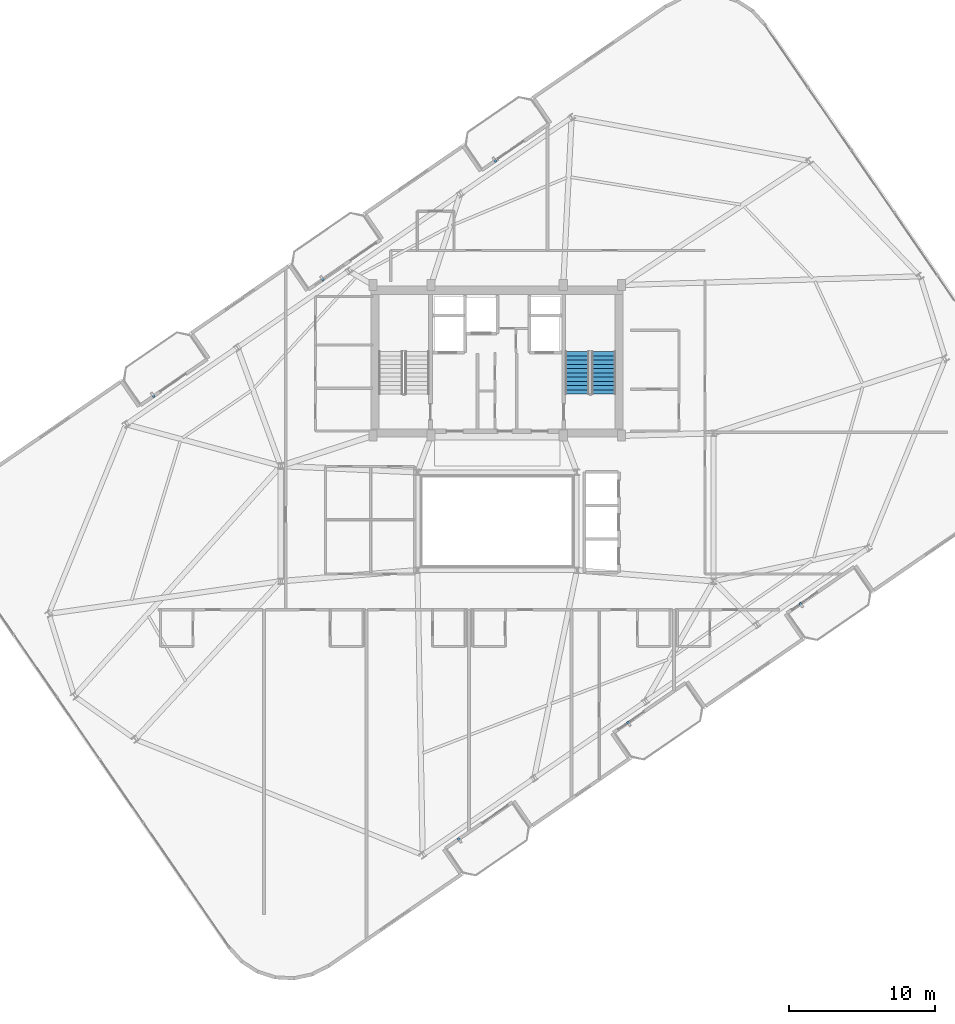
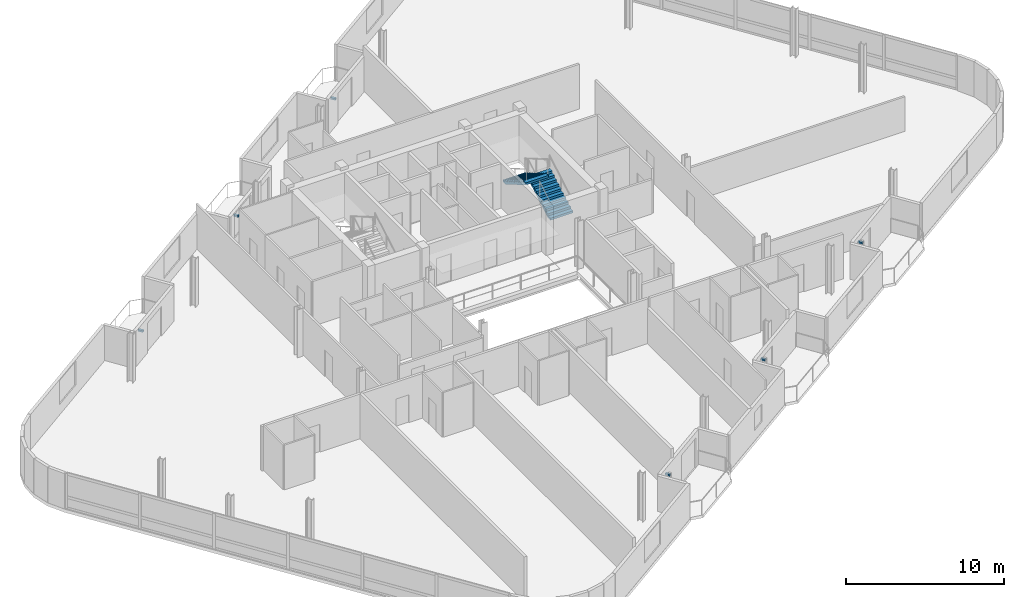
# One storey, part 19 of 22: 6 discrete accessories, 2 stair flights, 1 element without a shape of its own.
"""IFC4 building model written with IfcOpenShell, lengths in metres."""

from ifc_helpers import new_model, si_unit, direction, frame, origin, origin_2d, place, context, subcontext, project, spatial, polyline, rectangle, outline, extrude, source, transform, mapped, material, type_object, element, aggregate, save


model = new_model("IFC4")

# Units and contexts
model_context = context("Model", 3, precision=1e-05, world=origin(), true_north=direction((0.0, 1.0)))
body_context = subcontext(model_context, "Body", "Model", "MODEL_VIEW")
ifc_project = project(units=[si_unit("LENGTHUNIT", "METRE"), si_unit("AREAUNIT", "SQUARE_METRE"), si_unit("VOLUMEUNIT", "CUBIC_METRE"), si_unit("PLANEANGLEUNIT", "RADIAN"), si_unit("MASSUNIT", "GRAM", prefix="KILO")], contexts=[model_context])

# Site, building, storey
site_placement = place(None, origin())
site = spatial("IfcSite", under=ifc_project, at=site_placement, CompositionType="ELEMENT")
building_placement = place(site_placement, origin())
building = spatial("IfcBuilding", under=site, at=building_placement, Name="Varnelok Gate Tower", CompositionType="ELEMENT")
storey_placement = place(building_placement, frame((0.0, 0.0, 284.10009765625)))
storey = spatial("IfcBuildingStorey", under=building, at=storey_placement, Name="L73", CompositionType="ELEMENT", Elevation=284.10009765625)

# Stair, stair flights
ifc_material_1 = material(Name="Concrete C50/60", Category="concrete")
stair_type = type_object("IfcStairType", Name="STR-CORE-1650", PredefinedType="HALF_TURN_STAIR", material=ifc_material_1)
stair_placement = place(storey_placement, origin())
stair = element("IfcStair", 1, at=stair_placement, inside=storey, type_object=stair_type, Name="L73 Exit Stair ST-2", PredefinedType="HALF_TURN_STAIR")
stair_flight_type = type_object("IfcStairFlightType", Name="SFL-CORE-1650", PredefinedType="STRAIGHT", material=ifc_material_1)
stair_flight_1_placement = place(storey_placement, frame((46.47509765625, 31.60009765625, 0.0), z_axis=(0.0, 0.0, 1.0), x_axis=(0.0, 1.0, 0.0)))
stair_flight_1 = element("IfcStairFlight", 2, at=stair_flight_1_placement, type_object=stair_flight_type, Name="ST-2 flight 1", NumberOfRisers=11, NumberOfTreads=10, PredefinedType="STRAIGHT", RiserHeight=0.168181818, TreadLength=0.29, context=body_context, shape_type="SweptSolid", body=[
    extrude(outline(polyline([(0.0, 0.0), (0.0, 0.168212890625), (0.2900390625, 0.168212890625), (0.2900390625, 0.33642578125), (0.580078125, 0.33642578125), (0.580078125, 0.504638671875), (0.8701171875, 0.504638671875), (0.8701171875, 0.672607421875), (1.159912109375, 0.672607421875), (1.159912109375, 0.8408203125), (1.449951171875, 0.8408203125), (1.449951171875, 1.009033203125), (1.739990234375, 1.009033203125), (1.739990234375, 1.17724609375), (2.030029296875, 1.17724609375), (2.030029296875, 1.345458984375), (2.320068359375, 1.345458984375), (2.320068359375, 1.513671875), (2.610107421875, 1.513671875), (2.610107421875, 1.681884765625), (2.89990234375, 1.681884765625), (2.89990234375, 1.85009765625), (2.89990234375, 1.508544921875), (0.298828125, 0.0), (0.0, 0.0)])), frame((0.0, 0.824951171875, 0.0), z_axis=(0.0, -1.0, 0.0), x_axis=(1.0, 0.0, 0.0)), (0.0, 0.0, 1.0), 1.64990234375),
])
stair_flight_2_placement = place(storey_placement, frame((44.675048828125, 34.5, 1.849853515625), z_axis=(0.0, 0.0, 1.0), x_axis=(0.0, -1.0, 0.0)))
stair_flight_2 = element("IfcStairFlight", 3, at=stair_flight_2_placement, type_object=stair_flight_type, Name="ST-2 flight 2", NumberOfRisers=11, NumberOfTreads=10, PredefinedType="STRAIGHT", RiserHeight=0.168181818, TreadLength=0.29, context=body_context, shape_type="SweptSolid", body=[
    extrude(outline(polyline([(0.0, 0.0), (0.0, 0.168212890625), (0.2900390625, 0.168212890625), (0.2900390625, 0.33642578125), (0.580078125, 0.33642578125), (0.580078125, 0.504638671875), (0.8701171875, 0.504638671875), (0.8701171875, 0.672607421875), (1.159912109375, 0.672607421875), (1.159912109375, 0.8408203125), (1.449951171875, 0.8408203125), (1.449951171875, 1.009033203125), (1.739990234375, 1.009033203125), (1.739990234375, 1.17724609375), (2.030029296875, 1.17724609375), (2.030029296875, 1.345458984375), (2.320068359375, 1.345458984375), (2.320068359375, 1.513671875), (2.610107421875, 1.513671875), (2.610107421875, 1.681884765625), (2.89990234375, 1.681884765625), (2.89990234375, 1.85009765625), (2.89990234375, 1.508544921875), (0.298828125, 0.0), (0.0, 0.0)])), frame((0.0, 0.824951171875, 0.0), z_axis=(0.0, -1.0, 0.0), x_axis=(1.0, 0.0, 0.0)), (0.0, 0.0, 1.0), 1.64990234375),
])
aggregate(stair, [stair_flight_1, stair_flight_2])

# Discrete accessories
ifc_material_2 = material(Name="Structural Steel ASTM A500 Grade C", Category="steel")
discrete_accessory_type = type_object("IfcDiscreteAccessoryType", Name="ACC-BAGUETTE-BRK", PredefinedType="BRACKET", material=ifc_material_2)
shared_shape = source(origin(), body_context, "Body", "SweptSolid", [
    extrude(rectangle(XDim=0.159912109375, YDim=0.340087890625, at=origin_2d()), origin(), (0.0, 0.0, 1.0), 0.139892578125),
])
for number, where, z_axis, x_axis, name in (
    (4, (36.62158203125, 1.09619140625, 1.97998046875), (0.0, 0.0, 1.0), (0.823532597628, 0.567268949127, 0.0), "L73 Terracotta Baguette Bracket 1.1"),
    (5, (48.195068359375, 9.068359375, 1.97998046875), (0.0, 0.0, 1.0), (0.823532597628, 0.567268949127, 0.0), "L73 Terracotta Baguette Bracket 2.1"),
    (6, (59.982666015625, 17.187744140625, 1.97998046875), (0.0, 0.0, 1.0), (0.823532597628, 0.567268949127, 0.0), "L73 Terracotta Baguette Bracket 3.1"),
    (7, (15.66650390625, 31.517333984375, 1.97998046875), (0.0, 0.0, 1.0), (0.823532597628, 0.567268949127, 0.0), "L73 Terracotta Baguette Bracket 4.1"),
    (8, (27.240234375, 39.489501953125, 1.97998046875), (0.0, 0.0, 1.0), (0.823532597628, 0.567268949127, 0.0), "L73 Terracotta Baguette Bracket 5.1"),
    (9, (39.027587890625, 47.609130859375, 1.97998046875), (0.0, 0.0, 1.0), (0.823532597628, 0.567268949127, 0.0), "L73 Terracotta Baguette Bracket 6.1"),
):
    element("IfcDiscreteAccessory", number, at=place(storey_placement, frame(where, z_axis=z_axis, x_axis=x_axis)), inside=storey, type_object=discrete_accessory_type, Name=name, PredefinedType="BRACKET", context=body_context, shape_type="MappedRepresentation", body=[
        mapped(shared_shape, transform((0.0, 0.0, 0.0), scale=1.0)),
    ])

save(model, "model.ifc")
